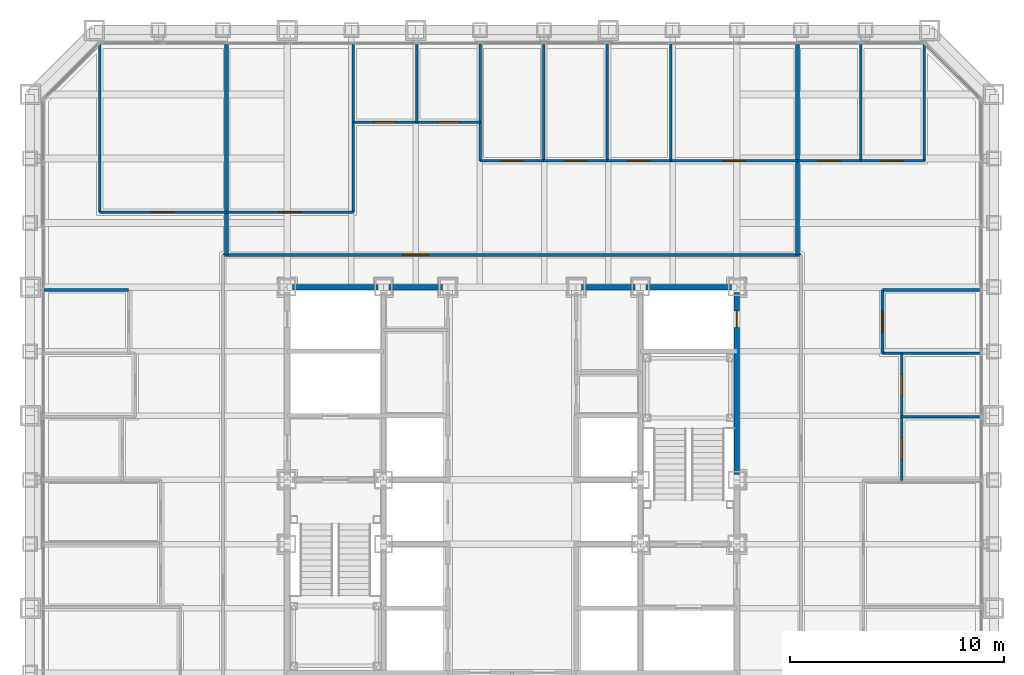
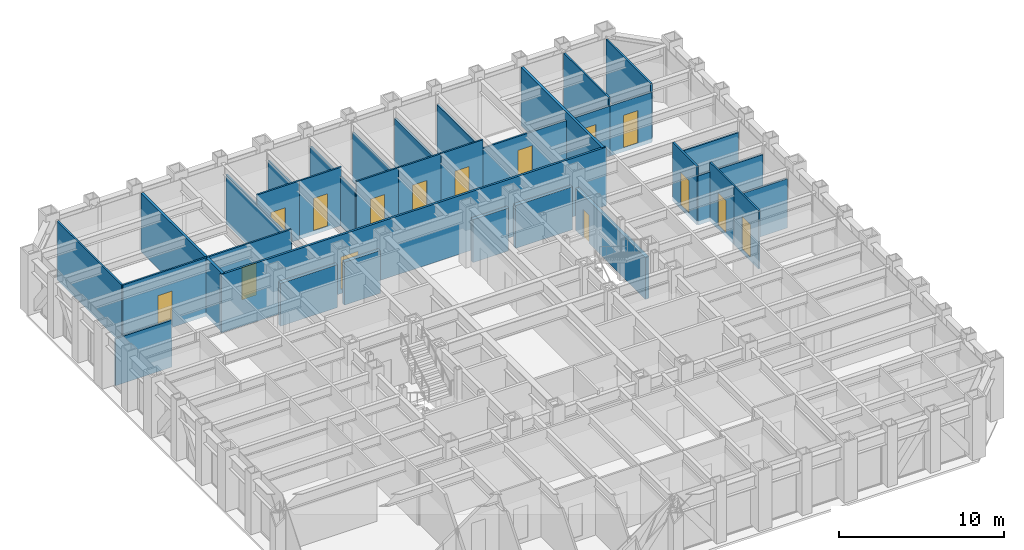
# One storey, part 11 of 16: 34 walls, 15 doors, 15 openings.
"""IFC4 building model written with IfcOpenShell, lengths in metres."""

from ifc_helpers import new_model, si_unit, direction, frame, frame_2d, origin, place, context, subcontext, project, spatial, rectangle, extrude, material, layer, layer_set, type_object, element, fill, save


model = new_model("IFC4")

# Units and contexts
model_context = context("Model", 3, precision=1e-05, world=origin(), true_north=direction((0.0, 1.0)))
body_context = subcontext(model_context, "Body", "Model", "MODEL_VIEW")
ifc_project = project(units=[si_unit("LENGTHUNIT", "METRE"), si_unit("AREAUNIT", "SQUARE_METRE"), si_unit("VOLUMEUNIT", "CUBIC_METRE"), si_unit("PLANEANGLEUNIT", "RADIAN"), si_unit("MASSUNIT", "GRAM", prefix="KILO")], contexts=[model_context])

# Site, building, storey
site_placement = place(None, origin())
site = spatial("IfcSite", under=ifc_project, at=site_placement, CompositionType="ELEMENT")
building_placement = place(site_placement, origin())
building = spatial("IfcBuilding", under=site, at=building_placement, Name="Chuquiago Exchange Tower", CompositionType="ELEMENT")
storey_placement = place(building_placement, frame((0.0, 0.0, 82.800048828125)))
storey = spatial("IfcBuildingStorey", under=building, at=storey_placement, Name="L17", CompositionType="ELEMENT", Elevation=82.800048828125)

# Walls
ifc_material_1 = material(Name="Concrete masonry, fully grouted", Category="masonry")
ifc_layer_1 = layer(ifc_material_1, 0.25)
ifc_layer_set_1 = layer_set([ifc_layer_1], Name="W1 core wall 250")
wall_type_1 = type_object("IfcWallType", Name="W1 core wall 250", PredefinedType="SOLIDWALL", material=ifc_layer_set_1)
wall_1_placement = place(storey_placement, frame((12.25, 33.0, 0.0), z_axis=(0.0, 0.0, 1.0), x_axis=(1.0, 0.0, 0.0)))
element("IfcWall", 1, at=wall_1_placement, inside=storey, type_object=wall_type_1, Name="CW-L17-11-0", PredefinedType="SOLIDWALL", context=body_context, shape_type="SweptSolid", body=[
    extrude(rectangle(XDim=4.0, YDim=0.25, at=frame_2d((2.0, 0.0))), origin(), (0.0, 0.0, 1.0), 3.181396484375),
])
for number, where, z_axis, x_axis, name in (
    (2, (16.75, 33.0, 0.0), (0.0, 0.0, 1.0), (1.0, 0.0, 0.0), "CW-L17-11-1"),
    (3, (25.75, 33.0, 0.0), (0.0, 0.0, 1.0), (1.0, 0.0, 0.0), "CW-L17-12-0"),
):
    element("IfcWall", number, at=place(storey_placement, frame(where, z_axis=z_axis, x_axis=x_axis)), inside=storey, type_object=wall_type_1, Name=name, PredefinedType="SOLIDWALL", context=body_context, shape_type="SweptSolid", body=[
        extrude(rectangle(XDim=2.5, YDim=0.25, at=frame_2d((1.25, 0.0))), origin(), (0.0, 0.0, 1.0), 3.181396484375),
    ])
wall_2_placement = place(storey_placement, frame((28.75, 33.0, 0.0), z_axis=(0.0, 0.0, 1.0), x_axis=(1.0, 0.0, 0.0)))
element("IfcWall", 4, at=wall_2_placement, inside=storey, type_object=wall_type_1, Name="CW-L17-12-1", PredefinedType="SOLIDWALL", context=body_context, shape_type="SweptSolid", body=[
    extrude(rectangle(XDim=4.0, YDim=0.25, at=frame_2d((2.0, 0.0))), origin(), (0.0, 0.0, 1.0), 3.181396484375),
])

# Wall, opening, door
wall_3_placement = place(storey_placement, frame((33.0, 24.25, 0.0), z_axis=(0.0, 0.0, 1.0), x_axis=(0.0, 1.0, 0.0)))
wall_3 = element("IfcWall", 5, at=wall_3_placement, inside=storey, type_object=wall_type_1, Name="CW-L17-25-2", PredefinedType="SOLIDWALL", context=body_context, shape_type="SweptSolid", body=[
    extrude(rectangle(XDim=8.5, YDim=0.25, at=frame_2d((4.25, 0.0))), origin(), (0.0, 0.0, 1.0), 3.11279296875),
])
opening_1_placement = place(wall_3_placement, frame((6.875, 0.0, 0.0)))
opening_1 = element("IfcOpeningElement", 6, at=opening_1_placement, cuts=wall_3, Name="Opening L17-010", PredefinedType="OPENING", context=body_context, shape_type="SweptSolid", body=[
    extrude(rectangle(XDim=0.75, YDim=2.10009765625, at=frame_2d((0.375, 1.050048828125))), frame((0.0, 0.135009765625, 0.0), z_axis=(0.0, -1.0, 0.0), x_axis=(1.0, 0.0, 0.0)), (0.0, 0.0, 1.0), 0.27001953125),
])
ifc_material_2 = material(Name="Steel door, painted", Category="steel")
door_type_1 = type_object("IfcDoorType", Name="D6 riser access door 750x2100", OperationType="SINGLE_SWING_LEFT", PredefinedType="DOOR", material=ifc_material_2)
door_1_placement = place(opening_1_placement, frame((0.75, 0.0, 0.0), z_axis=(0.0, 0.0, 1.0), x_axis=(-1.0, 0.0, 0.0)))
door_1 = element("IfcDoor", 7, at=door_1_placement, inside=storey, type_object=door_type_1, Name="Riser RE2 door", OperationType="SINGLE_SWING_LEFT", OverallHeight=2.10009765625, OverallWidth=0.75, PredefinedType="DOOR", context=body_context, shape_type="SweptSolid", body=[
    extrude(rectangle(XDim=0.75, YDim=2.10009765625, at=frame_2d((0.375, 1.050048828125))), frame((0.0, 0.02490234375, 0.0), z_axis=(0.0, -1.0, 0.0), x_axis=(1.0, 0.0, 0.0)), (0.0, 0.0, 1.0), 0.050048828125),
])
fill(opening_1, door_1)

ifc_material_3 = material(Name="Gypsum board on steel studs, acoustic insulation", Category="steel")
ifc_layer_2 = layer(ifc_material_3, 0.14990234375)
ifc_layer_set_2 = layer_set([ifc_layer_2], Name="W11 corridor wall 150")
wall_type_2 = type_object("IfcWallType", Name="W11 corridor wall 150", PredefinedType="PARTITIONING", material=ifc_layer_set_2)
wall_4_placement = place(storey_placement, frame((9.0, 34.5, -0.300048828125), z_axis=(0.0, 0.0, 1.0), x_axis=(1.0, 0.0, 0.0)))
wall_4 = element("IfcWall", 8, at=wall_4_placement, inside=storey, type_object=wall_type_2, Name="PW-L17-CN", PredefinedType="PARTITIONING", context=body_context, shape_type="SweptSolid", body=[
    extrude(rectangle(XDim=27.0, YDim=0.14990234375, at=frame_2d((13.5, 0.0))), origin(), (0.0, 0.0, 1.0), 4.340087890625),
])
opening_2_placement = place(wall_4_placement, frame((8.39990234375, 0.0, 0.300048828125)))
opening_2 = element("IfcOpeningElement", 9, at=opening_2_placement, cuts=wall_4, Name="Opening L17-057", PredefinedType="OPENING", context=body_context, shape_type="SweptSolid", body=[
    extrude(rectangle(XDim=1.199951171875, YDim=2.39990234375, at=frame_2d((0.60009765625, 1.199951171875))), frame((0.0, 0.0849609375, 0.0), z_axis=(0.0, -1.0, 0.0), x_axis=(1.0, 0.0, 0.0)), (0.0, 0.0, 1.0), 0.169921875),
])
ifc_material_4 = material(Name="Timber door, laminate faced", Category="wood")
door_type_2 = type_object("IfcDoorType", Name="D13 suite entrance door 1200x2400", OperationType="SINGLE_SWING_LEFT", PredefinedType="DOOR", material=ifc_material_4)
door_2_placement = place(opening_2_placement, origin())
door_2 = element("IfcDoor", 10, at=door_2_placement, inside=storey, type_object=door_type_2, Name="North suite entrance door", OperationType="SINGLE_SWING_LEFT", OverallHeight=2.39990234375, OverallWidth=1.199951171875, PredefinedType="DOOR", context=body_context, shape_type="SweptSolid", body=[
    extrude(rectangle(XDim=1.199951171875, YDim=2.39990234375, at=frame_2d((0.60009765625, 1.199951171875))), frame((0.0, 0.02490234375, 0.0), z_axis=(0.0, -1.0, 0.0), x_axis=(1.0, 0.0, 0.0)), (0.0, 0.0, 1.0), 0.050048828125),
])
fill(opening_2, door_2)

# Walls
ifc_material_5 = material(Name="Gypsum board on twin steel studs, acoustic insulation", Category="steel")
ifc_layer_3 = layer(ifc_material_5, 0.175048828125)
ifc_layer_set_3 = layer_set([ifc_layer_3], Name="W12 tenant demising wall 175")
wall_type_3 = type_object("IfcWallType", Name="W12 tenant demising wall 175", PredefinedType="PARTITIONING", material=ifc_layer_set_3)
for number, where, z_axis, x_axis, name in (
    (11, (9.172119140625, 44.342529296875, -0.300048828125), (0.0, 0.0, 1.0), (0.0, -1.0, 0.0), "PW-L17-DN00917"),
    (12, (35.827880859375, 44.342529296875, -0.300048828125), (0.0, 0.0, 1.0), (0.0, -1.0, 0.0), "PW-L17-DN03583"),
):
    element("IfcWall", number, at=place(storey_placement, frame(where, z_axis=z_axis, x_axis=x_axis)), inside=storey, type_object=wall_type_3, Name=name, PredefinedType="PARTITIONING", context=body_context, shape_type="SweptSolid", body=[
        extrude(rectangle(XDim=9.842529296875, YDim=0.175048828125, at=frame_2d((4.92138671875, 0.0))), origin(), (0.0, 0.0, 1.0), 4.340087890625),
    ])
ifc_material_6 = material(Name="Gypsum board on steel studs", Category="steel")
ifc_layer_4 = layer(ifc_material_6, 0.1201171875)
ifc_layer_set_4 = layer_set([ifc_layer_4], Name="W4 partition 120")
wall_type_4 = type_object("IfcWallType", Name="W4 partition 120", PredefinedType="PARTITIONING", material=ifc_layer_set_4)
wall_5_placement = place(storey_placement, frame((44.342529296875, 26.942626953125, -0.300048828125), z_axis=(0.0, 0.0, 1.0), x_axis=(-1.0, 0.0, 0.0)))
element("IfcWall", 13, at=wall_5_placement, inside=storey, type_object=wall_type_4, Name="PW-L17-E02694", PredefinedType="PARTITIONING", context=body_context, shape_type="SweptSolid", body=[
    extrude(rectangle(XDim=3.642578125, YDim=0.1201171875, at=frame_2d((1.8212890625, 0.0))), origin(), (0.0, 0.0, 1.0), 3.646484375),
])
wall_6_placement = place(storey_placement, frame((44.342529296875, 29.904296875, -0.300048828125), z_axis=(0.0, 0.0, 1.0), x_axis=(-1.0, 0.0, 0.0)))
element("IfcWall", 14, at=wall_6_placement, inside=storey, type_object=wall_type_4, Name="PW-L17-E02990", PredefinedType="PARTITIONING", context=body_context, shape_type="SweptSolid", body=[
    extrude(rectangle(XDim=4.54248046875, YDim=0.1201171875, at=frame_2d((2.271240234375, 0.0))), origin(), (0.0, 0.0, 1.0), 3.646484375),
])
wall_7_placement = place(storey_placement, frame((44.342529296875, 32.8662109375, -0.300048828125), z_axis=(0.0, 0.0, 1.0), x_axis=(-1.0, 0.0, 0.0)))
element("IfcWall", 15, at=wall_7_placement, inside=storey, type_object=wall_type_4, Name="PW-L17-E03287", PredefinedType="PARTITIONING", context=body_context, shape_type="SweptSolid", body=[
    extrude(rectangle(XDim=4.54248046875, YDim=0.1201171875, at=frame_2d((2.271240234375, 0.0))), origin(), (0.0, 0.0, 1.0), 3.4814453125),
])

# Wall, opening, door
wall_8_placement = place(storey_placement, frame((40.699951171875, 23.98095703125, -0.300048828125), z_axis=(0.0, 0.0, 1.0), x_axis=(0.0, 1.0, 0.0)))
wall_8 = element("IfcWall", 16, at=wall_8_placement, inside=storey, type_object=wall_type_4, Name="PW-L17-EF02398", PredefinedType="PARTITIONING", context=body_context, shape_type="SweptSolid", body=[
    extrude(rectangle(XDim=2.961669921875, YDim=0.1201171875, at=frame_2d((1.48095703125, 0.0))), origin(), (0.0, 0.0, 1.0), 4.340087890625),
])
opening_3_placement = place(wall_8_placement, frame((0.98095703125, 0.0, 0.300048828125)))
opening_3 = element("IfcOpeningElement", 17, at=opening_3_placement, cuts=wall_8, Name="Opening L17-037", PredefinedType="OPENING", context=body_context, shape_type="SweptSolid", body=[
    extrude(rectangle(XDim=1.0, YDim=2.39990234375, at=frame_2d((0.5, 1.199951171875))), frame((0.0, 0.070068359375, 0.0), z_axis=(0.0, -1.0, 0.0), x_axis=(1.0, 0.0, 0.0)), (0.0, 0.0, 1.0), 0.14013671875),
])
ifc_material_7 = material(Name="Timber frame door, full height glazed panel", Category="wood")
door_type_3 = type_object("IfcDoorType", Name="D14 glazed meeting room door 1000x2400", OperationType="SINGLE_SWING_LEFT", PredefinedType="DOOR", material=ifc_material_7)
door_3_placement = place(opening_3_placement, frame((1.0, 0.0, 0.0), z_axis=(0.0, 0.0, 1.0), x_axis=(-1.0, 0.0, 0.0)))
door_3 = element("IfcDoor", 18, at=door_3_placement, inside=storey, type_object=door_type_3, Name="Focus room door", OperationType="SINGLE_SWING_LEFT", OverallHeight=2.39990234375, OverallWidth=1.0, PredefinedType="DOOR", context=body_context, shape_type="SweptSolid", body=[
    extrude(rectangle(XDim=1.0, YDim=2.39990234375, at=frame_2d((0.5, 1.199951171875))), frame((0.0, 0.02490234375, 0.0), z_axis=(0.0, -1.0, 0.0), x_axis=(1.0, 0.0, 0.0)), (0.0, 0.0, 1.0), 0.050048828125),
])
fill(opening_3, door_3)

wall_9_placement = place(storey_placement, frame((40.699951171875, 26.942626953125, -0.300048828125), z_axis=(0.0, 0.0, 1.0), x_axis=(0.0, 1.0, 0.0)))
wall_9 = element("IfcWall", 19, at=wall_9_placement, inside=storey, type_object=wall_type_4, Name="PW-L17-EF02694", PredefinedType="PARTITIONING", context=body_context, shape_type="SweptSolid", body=[
    extrude(rectangle(XDim=2.961669921875, YDim=0.1201171875, at=frame_2d((1.48095703125, 0.0))), origin(), (0.0, 0.0, 1.0), 4.340087890625),
])
opening_4_placement = place(wall_9_placement, frame((0.98095703125, 0.0, 0.300048828125)))
opening_4 = element("IfcOpeningElement", 20, at=opening_4_placement, cuts=wall_9, Name="Opening L17-038", PredefinedType="OPENING", context=body_context, shape_type="SweptSolid", body=[
    extrude(rectangle(XDim=1.0, YDim=2.39990234375, at=frame_2d((0.5, 1.199951171875))), frame((0.0, 0.070068359375, 0.0), z_axis=(0.0, -1.0, 0.0), x_axis=(1.0, 0.0, 0.0)), (0.0, 0.0, 1.0), 0.14013671875),
])
door_4_placement = place(opening_4_placement, frame((1.0, 0.0, 0.0), z_axis=(0.0, 0.0, 1.0), x_axis=(-1.0, 0.0, 0.0)))
door_4 = element("IfcDoor", 21, at=door_4_placement, inside=storey, type_object=door_type_3, Name="Focus room door", OperationType="SINGLE_SWING_RIGHT", OverallHeight=2.39990234375, OverallWidth=1.0, PredefinedType="DOOR", context=body_context, shape_type="SweptSolid", body=[
    extrude(rectangle(XDim=1.0, YDim=2.39990234375, at=frame_2d((0.5, 1.199951171875))), frame((0.0, 0.02490234375, 0.0), z_axis=(0.0, -1.0, 0.0), x_axis=(1.0, 0.0, 0.0)), (0.0, 0.0, 1.0), 0.050048828125),
])
fill(opening_4, door_4)

wall_10_placement = place(storey_placement, frame((39.800048828125, 29.904296875, -0.300048828125), z_axis=(0.0, 0.0, 1.0), x_axis=(0.0, 1.0, 0.0)))
wall_10 = element("IfcWall", 22, at=wall_10_placement, inside=storey, type_object=wall_type_4, Name="PW-L17-EF02990", PredefinedType="PARTITIONING", context=body_context, shape_type="SweptSolid", body=[
    extrude(rectangle(XDim=2.9619140625, YDim=0.1201171875, at=frame_2d((1.48095703125, 0.0))), origin(), (0.0, 0.0, 1.0), 4.340087890625),
])
opening_5_placement = place(wall_10_placement, frame((0.98095703125, 0.0, 0.300048828125)))
opening_5 = element("IfcOpeningElement", 23, at=opening_5_placement, cuts=wall_10, Name="Opening L17-039", PredefinedType="OPENING", context=body_context, shape_type="SweptSolid", body=[
    extrude(rectangle(XDim=1.0, YDim=2.39990234375, at=frame_2d((0.5, 1.199951171875))), frame((0.0, 0.070068359375, 0.0), z_axis=(0.0, -1.0, 0.0), x_axis=(1.0, 0.0, 0.0)), (0.0, 0.0, 1.0), 0.14013671875),
])
ifc_material_8 = material(Name="Timber door, laminate faced", Category="wood")
door_type_4 = type_object("IfcDoorType", Name="D9 room door 1000x2400", OperationType="SINGLE_SWING_LEFT", PredefinedType="DOOR", material=ifc_material_8)
door_5_placement = place(opening_5_placement, frame((1.0, 0.0, 0.0), z_axis=(0.0, 0.0, 1.0), x_axis=(-1.0, 0.0, 0.0)))
door_5 = element("IfcDoor", 24, at=door_5_placement, inside=storey, type_object=door_type_4, Name="Comms room door", OperationType="SINGLE_SWING_RIGHT", OverallHeight=2.39990234375, OverallWidth=1.0, PredefinedType="DOOR", context=body_context, shape_type="SweptSolid", body=[
    extrude(rectangle(XDim=1.0, YDim=2.39990234375, at=frame_2d((0.5, 1.199951171875))), frame((0.0, 0.02490234375, 0.0), z_axis=(0.0, -1.0, 0.0), x_axis=(1.0, 0.0, 0.0)), (0.0, 0.0, 1.0), 0.050048828125),
])
fill(opening_5, door_5)

# Walls
wall_11_placement = place(storey_placement, frame((3.24853515625, 44.333984375, -0.300048828125), z_axis=(0.0, 0.0, 1.0), x_axis=(0.0, -1.0, 0.0)))
element("IfcWall", 25, at=wall_11_placement, inside=storey, type_object=wall_type_4, Name="PW-L17-N00325", PredefinedType="PARTITIONING", context=body_context, shape_type="SweptSolid", body=[
    extrude(rectangle(XDim=7.833984375, YDim=0.1201171875, at=frame_2d((3.9169921875, 0.0))), origin(), (0.0, 0.0, 1.0), 4.340087890625),
])
wall_12_placement = place(storey_placement, frame((15.095703125, 44.342529296875, -0.300048828125), z_axis=(0.0, 0.0, 1.0), x_axis=(0.0, -1.0, 0.0)))
element("IfcWall", 26, at=wall_12_placement, inside=storey, type_object=wall_type_4, Name="PW-L17-N01510", PredefinedType="PARTITIONING", context=body_context, shape_type="SweptSolid", body=[
    extrude(rectangle(XDim=7.842529296875, YDim=0.1201171875, at=frame_2d((3.92138671875, 0.0))), origin(), (0.0, 0.0, 1.0), 3.646484375),
])
wall_13_placement = place(storey_placement, frame((18.057373046875, 44.342529296875, -0.300048828125), z_axis=(0.0, 0.0, 1.0), x_axis=(0.0, -1.0, 0.0)))
element("IfcWall", 27, at=wall_13_placement, inside=storey, type_object=wall_type_4, Name="PW-L17-N01806", PredefinedType="PARTITIONING", context=body_context, shape_type="SweptSolid", body=[
    extrude(rectangle(XDim=3.642578125, YDim=0.1201171875, at=frame_2d((1.8212890625, 0.0))), origin(), (0.0, 0.0, 1.0), 3.646484375),
])
for number, where, z_axis, x_axis, name in (
    (28, (21.01904296875, 44.342529296875, -0.300048828125), (0.0, 0.0, 1.0), (0.0, -1.0, 0.0), "PW-L17-N02102"),
    (29, (23.98095703125, 44.342529296875, -0.300048828125), (0.0, 0.0, 1.0), (0.0, -1.0, 0.0), "PW-L17-N02398"),
    (30, (26.942626953125, 44.342529296875, -0.300048828125), (0.0, 0.0, 1.0), (0.0, -1.0, 0.0), "PW-L17-N02694"),
    (31, (29.904296875, 44.342529296875, -0.300048828125), (0.0, 0.0, 1.0), (0.0, -1.0, 0.0), "PW-L17-N02990"),
):
    element("IfcWall", number, at=place(storey_placement, frame(where, z_axis=z_axis, x_axis=x_axis)), inside=storey, type_object=wall_type_4, Name=name, PredefinedType="PARTITIONING", context=body_context, shape_type="SweptSolid", body=[
        extrude(rectangle(XDim=5.442626953125, YDim=0.1201171875, at=frame_2d((2.72119140625, 0.0))), origin(), (0.0, 0.0, 1.0), 3.646484375),
    ])
wall_14_placement = place(storey_placement, frame((38.789794921875, 44.342529296875, -0.300048828125), z_axis=(0.0, 0.0, 1.0), x_axis=(0.0, -1.0, 0.0)))
element("IfcWall", 32, at=wall_14_placement, inside=storey, type_object=wall_type_4, Name="PW-L17-N03879", PredefinedType="PARTITIONING", context=body_context, shape_type="SweptSolid", body=[
    extrude(rectangle(XDim=5.442626953125, YDim=0.1201171875, at=frame_2d((2.72119140625, 0.0))), origin(), (0.0, 0.0, 1.0), 4.340087890625),
])
wall_15_placement = place(storey_placement, frame((41.75146484375, 44.333984375, -0.300048828125), z_axis=(0.0, 0.0, 1.0), x_axis=(0.0, -1.0, 0.0)))
element("IfcWall", 33, at=wall_15_placement, inside=storey, type_object=wall_type_4, Name="PW-L17-N04175", PredefinedType="PARTITIONING", context=body_context, shape_type="SweptSolid", body=[
    extrude(rectangle(XDim=5.43408203125, YDim=0.1201171875, at=frame_2d((2.717041015625, 0.0))), origin(), (0.0, 0.0, 1.0), 4.340087890625),
])

# Wall, opening, door
wall_16_placement = place(storey_placement, frame((3.24853515625, 36.5, -0.300048828125), z_axis=(0.0, 0.0, 1.0), x_axis=(1.0, 0.0, 0.0)))
wall_16 = element("IfcWall", 34, at=wall_16_placement, inside=storey, type_object=wall_type_4, Name="PW-L17-NF00325", PredefinedType="PARTITIONING", context=body_context, shape_type="SweptSolid", body=[
    extrude(rectangle(XDim=5.923583984375, YDim=0.1201171875, at=frame_2d((2.9619140625, 0.0))), origin(), (0.0, 0.0, 1.0), 4.340087890625),
])
opening_6_placement = place(wall_16_placement, frame((2.4619140625, 0.0, 0.300048828125)))
opening_6 = element("IfcOpeningElement", 35, at=opening_6_placement, cuts=wall_16, Name="Opening L17-040", PredefinedType="OPENING", context=body_context, shape_type="SweptSolid", body=[
    extrude(rectangle(XDim=1.0, YDim=2.39990234375, at=frame_2d((0.5, 1.199951171875))), frame((0.0, 0.070068359375, 0.0), z_axis=(0.0, -1.0, 0.0), x_axis=(1.0, 0.0, 0.0)), (0.0, 0.0, 1.0), 0.14013671875),
])
door_6_placement = place(opening_6_placement, origin())
door_6 = element("IfcDoor", 36, at=door_6_placement, inside=storey, type_object=door_type_4, Name="Settlement office door", OperationType="SINGLE_SWING_RIGHT", OverallHeight=2.39990234375, OverallWidth=1.0, PredefinedType="DOOR", context=body_context, shape_type="SweptSolid", body=[
    extrude(rectangle(XDim=1.0, YDim=2.39990234375, at=frame_2d((0.5, 1.199951171875))), frame((0.0, 0.02490234375, 0.0), z_axis=(0.0, -1.0, 0.0), x_axis=(1.0, 0.0, 0.0)), (0.0, 0.0, 1.0), 0.050048828125),
])
fill(opening_6, door_6)

wall_17_placement = place(storey_placement, frame((9.172119140625, 36.5, -0.300048828125), z_axis=(0.0, 0.0, 1.0), x_axis=(1.0, 0.0, 0.0)))
wall_17 = element("IfcWall", 37, at=wall_17_placement, inside=storey, type_object=wall_type_4, Name="PW-L17-NF00917", PredefinedType="PARTITIONING", context=body_context, shape_type="SweptSolid", body=[
    extrude(rectangle(XDim=5.923583984375, YDim=0.1201171875, at=frame_2d((2.9619140625, 0.0))), origin(), (0.0, 0.0, 1.0), 4.340087890625),
])
opening_7_placement = place(wall_17_placement, frame((2.461669921875, 0.0, 0.300048828125)))
opening_7 = element("IfcOpeningElement", 38, at=opening_7_placement, cuts=wall_17, Name="Opening L17-041", PredefinedType="OPENING", context=body_context, shape_type="SweptSolid", body=[
    extrude(rectangle(XDim=1.0, YDim=2.39990234375, at=frame_2d((0.5, 1.199951171875))), frame((0.0, 0.070068359375, 0.0), z_axis=(0.0, -1.0, 0.0), x_axis=(1.0, 0.0, 0.0)), (0.0, 0.0, 1.0), 0.14013671875),
])
door_7_placement = place(opening_7_placement, origin())
door_7 = element("IfcDoor", 39, at=door_7_placement, inside=storey, type_object=door_type_4, Name="Settlement office door", OperationType="SINGLE_SWING_LEFT", OverallHeight=2.39990234375, OverallWidth=1.0, PredefinedType="DOOR", context=body_context, shape_type="SweptSolid", body=[
    extrude(rectangle(XDim=1.0, YDim=2.39990234375, at=frame_2d((0.5, 1.199951171875))), frame((0.0, 0.02490234375, 0.0), z_axis=(0.0, -1.0, 0.0), x_axis=(1.0, 0.0, 0.0)), (0.0, 0.0, 1.0), 0.050048828125),
])
fill(opening_7, door_7)

wall_18_placement = place(storey_placement, frame((15.095703125, 40.699951171875, -0.300048828125), z_axis=(0.0, 0.0, 1.0), x_axis=(1.0, 0.0, 0.0)))
wall_18 = element("IfcWall", 40, at=wall_18_placement, inside=storey, type_object=wall_type_4, Name="PW-L17-NF01510", PredefinedType="PARTITIONING", context=body_context, shape_type="SweptSolid", body=[
    extrude(rectangle(XDim=2.961669921875, YDim=0.1201171875, at=frame_2d((1.48095703125, 0.0))), origin(), (0.0, 0.0, 1.0), 4.340087890625),
])
opening_8_placement = place(wall_18_placement, frame((0.98095703125, 0.0, 0.300048828125)))
opening_8 = element("IfcOpeningElement", 41, at=opening_8_placement, cuts=wall_18, Name="Opening L17-042", PredefinedType="OPENING", context=body_context, shape_type="SweptSolid", body=[
    extrude(rectangle(XDim=1.0, YDim=2.39990234375, at=frame_2d((0.5, 1.199951171875))), frame((0.0, 0.070068359375, 0.0), z_axis=(0.0, -1.0, 0.0), x_axis=(1.0, 0.0, 0.0)), (0.0, 0.0, 1.0), 0.14013671875),
])
door_8_placement = place(opening_8_placement, origin())
door_8 = element("IfcDoor", 42, at=door_8_placement, inside=storey, type_object=door_type_3, Name="Focus room door", OperationType="SINGLE_SWING_LEFT", OverallHeight=2.39990234375, OverallWidth=1.0, PredefinedType="DOOR", context=body_context, shape_type="SweptSolid", body=[
    extrude(rectangle(XDim=1.0, YDim=2.39990234375, at=frame_2d((0.5, 1.199951171875))), frame((0.0, 0.02490234375, 0.0), z_axis=(0.0, -1.0, 0.0), x_axis=(1.0, 0.0, 0.0)), (0.0, 0.0, 1.0), 0.050048828125),
])
fill(opening_8, door_8)

wall_19_placement = place(storey_placement, frame((18.057373046875, 40.699951171875, -0.300048828125), z_axis=(0.0, 0.0, 1.0), x_axis=(1.0, 0.0, 0.0)))
wall_19 = element("IfcWall", 43, at=wall_19_placement, inside=storey, type_object=wall_type_4, Name="PW-L17-NF01806", PredefinedType="PARTITIONING", context=body_context, shape_type="SweptSolid", body=[
    extrude(rectangle(XDim=2.961669921875, YDim=0.1201171875, at=frame_2d((1.48095703125, 0.0))), origin(), (0.0, 0.0, 1.0), 4.340087890625),
])
opening_9_placement = place(wall_19_placement, frame((0.98095703125, 0.0, 0.300048828125)))
opening_9 = element("IfcOpeningElement", 44, at=opening_9_placement, cuts=wall_19, Name="Opening L17-043", PredefinedType="OPENING", context=body_context, shape_type="SweptSolid", body=[
    extrude(rectangle(XDim=1.0, YDim=2.39990234375, at=frame_2d((0.5, 1.199951171875))), frame((0.0, 0.070068359375, 0.0), z_axis=(0.0, -1.0, 0.0), x_axis=(1.0, 0.0, 0.0)), (0.0, 0.0, 1.0), 0.14013671875),
])
door_9_placement = place(opening_9_placement, origin())
door_9 = element("IfcDoor", 45, at=door_9_placement, inside=storey, type_object=door_type_3, Name="Focus room door", OperationType="SINGLE_SWING_RIGHT", OverallHeight=2.39990234375, OverallWidth=1.0, PredefinedType="DOOR", context=body_context, shape_type="SweptSolid", body=[
    extrude(rectangle(XDim=1.0, YDim=2.39990234375, at=frame_2d((0.5, 1.199951171875))), frame((0.0, 0.02490234375, 0.0), z_axis=(0.0, -1.0, 0.0), x_axis=(1.0, 0.0, 0.0)), (0.0, 0.0, 1.0), 0.050048828125),
])
fill(opening_9, door_9)

wall_20_placement = place(storey_placement, frame((21.01904296875, 38.89990234375, -0.300048828125), z_axis=(0.0, 0.0, 1.0), x_axis=(1.0, 0.0, 0.0)))
wall_20 = element("IfcWall", 46, at=wall_20_placement, inside=storey, type_object=wall_type_4, Name="PW-L17-NF02102", PredefinedType="PARTITIONING", context=body_context, shape_type="SweptSolid", body=[
    extrude(rectangle(XDim=2.9619140625, YDim=0.1201171875, at=frame_2d((1.48095703125, 0.0))), origin(), (0.0, 0.0, 1.0), 4.340087890625),
])
opening_10_placement = place(wall_20_placement, frame((0.98095703125, 0.0, 0.300048828125)))
opening_10 = element("IfcOpeningElement", 47, at=opening_10_placement, cuts=wall_20, Name="Opening L17-044", PredefinedType="OPENING", context=body_context, shape_type="SweptSolid", body=[
    extrude(rectangle(XDim=1.0, YDim=2.39990234375, at=frame_2d((0.5, 1.199951171875))), frame((0.0, 0.070068359375, 0.0), z_axis=(0.0, -1.0, 0.0), x_axis=(1.0, 0.0, 0.0)), (0.0, 0.0, 1.0), 0.14013671875),
])
door_10_placement = place(opening_10_placement, origin())
door_10 = element("IfcDoor", 48, at=door_10_placement, inside=storey, type_object=door_type_4, Name="Office door", OperationType="SINGLE_SWING_RIGHT", OverallHeight=2.39990234375, OverallWidth=1.0, PredefinedType="DOOR", context=body_context, shape_type="SweptSolid", body=[
    extrude(rectangle(XDim=1.0, YDim=2.39990234375, at=frame_2d((0.5, 1.199951171875))), frame((0.0, 0.02490234375, 0.0), z_axis=(0.0, -1.0, 0.0), x_axis=(1.0, 0.0, 0.0)), (0.0, 0.0, 1.0), 0.050048828125),
])
fill(opening_10, door_10)

wall_21_placement = place(storey_placement, frame((23.98095703125, 38.89990234375, -0.300048828125), z_axis=(0.0, 0.0, 1.0), x_axis=(1.0, 0.0, 0.0)))
wall_21 = element("IfcWall", 49, at=wall_21_placement, inside=storey, type_object=wall_type_4, Name="PW-L17-NF02398", PredefinedType="PARTITIONING", context=body_context, shape_type="SweptSolid", body=[
    extrude(rectangle(XDim=2.961669921875, YDim=0.1201171875, at=frame_2d((1.48095703125, 0.0))), origin(), (0.0, 0.0, 1.0), 4.340087890625),
])
opening_11_placement = place(wall_21_placement, frame((0.98095703125, 0.0, 0.300048828125)))
opening_11 = element("IfcOpeningElement", 50, at=opening_11_placement, cuts=wall_21, Name="Opening L17-045", PredefinedType="OPENING", context=body_context, shape_type="SweptSolid", body=[
    extrude(rectangle(XDim=1.0, YDim=2.39990234375, at=frame_2d((0.5, 1.199951171875))), frame((0.0, 0.070068359375, 0.0), z_axis=(0.0, -1.0, 0.0), x_axis=(1.0, 0.0, 0.0)), (0.0, 0.0, 1.0), 0.14013671875),
])
door_11_placement = place(opening_11_placement, origin())
door_11 = element("IfcDoor", 51, at=door_11_placement, inside=storey, type_object=door_type_4, Name="Office door", OperationType="SINGLE_SWING_RIGHT", OverallHeight=2.39990234375, OverallWidth=1.0, PredefinedType="DOOR", context=body_context, shape_type="SweptSolid", body=[
    extrude(rectangle(XDim=1.0, YDim=2.39990234375, at=frame_2d((0.5, 1.199951171875))), frame((0.0, 0.02490234375, 0.0), z_axis=(0.0, -1.0, 0.0), x_axis=(1.0, 0.0, 0.0)), (0.0, 0.0, 1.0), 0.050048828125),
])
fill(opening_11, door_11)

wall_22_placement = place(storey_placement, frame((26.942626953125, 38.89990234375, -0.300048828125), z_axis=(0.0, 0.0, 1.0), x_axis=(1.0, 0.0, 0.0)))
wall_22 = element("IfcWall", 52, at=wall_22_placement, inside=storey, type_object=wall_type_4, Name="PW-L17-NF02694", PredefinedType="PARTITIONING", context=body_context, shape_type="SweptSolid", body=[
    extrude(rectangle(XDim=2.961669921875, YDim=0.1201171875, at=frame_2d((1.48095703125, 0.0))), origin(), (0.0, 0.0, 1.0), 4.340087890625),
])
opening_12_placement = place(wall_22_placement, frame((0.98095703125, 0.0, 0.300048828125)))
opening_12 = element("IfcOpeningElement", 53, at=opening_12_placement, cuts=wall_22, Name="Opening L17-046", PredefinedType="OPENING", context=body_context, shape_type="SweptSolid", body=[
    extrude(rectangle(XDim=1.0, YDim=2.39990234375, at=frame_2d((0.5, 1.199951171875))), frame((0.0, 0.070068359375, 0.0), z_axis=(0.0, -1.0, 0.0), x_axis=(1.0, 0.0, 0.0)), (0.0, 0.0, 1.0), 0.14013671875),
])
door_12_placement = place(opening_12_placement, origin())
door_12 = element("IfcDoor", 54, at=door_12_placement, inside=storey, type_object=door_type_4, Name="Office door", OperationType="SINGLE_SWING_LEFT", OverallHeight=2.39990234375, OverallWidth=1.0, PredefinedType="DOOR", context=body_context, shape_type="SweptSolid", body=[
    extrude(rectangle(XDim=1.0, YDim=2.39990234375, at=frame_2d((0.5, 1.199951171875))), frame((0.0, 0.02490234375, 0.0), z_axis=(0.0, -1.0, 0.0), x_axis=(1.0, 0.0, 0.0)), (0.0, 0.0, 1.0), 0.050048828125),
])
fill(opening_12, door_12)

wall_23_placement = place(storey_placement, frame((29.904296875, 38.89990234375, -0.300048828125), z_axis=(0.0, 0.0, 1.0), x_axis=(1.0, 0.0, 0.0)))
wall_23 = element("IfcWall", 55, at=wall_23_placement, inside=storey, type_object=wall_type_4, Name="PW-L17-NF02990", PredefinedType="PARTITIONING", context=body_context, shape_type="SweptSolid", body=[
    extrude(rectangle(XDim=5.923583984375, YDim=0.1201171875, at=frame_2d((2.9619140625, 0.0))), origin(), (0.0, 0.0, 1.0), 3.722900390625),
])
opening_13_placement = place(wall_23_placement, frame((2.4619140625, 0.0, 0.300048828125)))
opening_13 = element("IfcOpeningElement", 56, at=opening_13_placement, cuts=wall_23, Name="Opening L17-047", PredefinedType="OPENING", context=body_context, shape_type="SweptSolid", body=[
    extrude(rectangle(XDim=1.0, YDim=2.39990234375, at=frame_2d((0.5, 1.199951171875))), frame((0.0, 0.070068359375, 0.0), z_axis=(0.0, -1.0, 0.0), x_axis=(1.0, 0.0, 0.0)), (0.0, 0.0, 1.0), 0.14013671875),
])
door_13_placement = place(opening_13_placement, origin())
door_13 = element("IfcDoor", 57, at=door_13_placement, inside=storey, type_object=door_type_3, Name="Meeting room door", OperationType="SINGLE_SWING_RIGHT", OverallHeight=2.39990234375, OverallWidth=1.0, PredefinedType="DOOR", context=body_context, shape_type="SweptSolid", body=[
    extrude(rectangle(XDim=1.0, YDim=2.39990234375, at=frame_2d((0.5, 1.199951171875))), frame((0.0, 0.02490234375, 0.0), z_axis=(0.0, -1.0, 0.0), x_axis=(1.0, 0.0, 0.0)), (0.0, 0.0, 1.0), 0.050048828125),
])
fill(opening_13, door_13)

wall_24_placement = place(storey_placement, frame((35.827880859375, 38.89990234375, -0.300048828125), z_axis=(0.0, 0.0, 1.0), x_axis=(1.0, 0.0, 0.0)))
wall_24 = element("IfcWall", 58, at=wall_24_placement, inside=storey, type_object=wall_type_4, Name="PW-L17-NF03583", PredefinedType="PARTITIONING", context=body_context, shape_type="SweptSolid", body=[
    extrude(rectangle(XDim=2.9619140625, YDim=0.1201171875, at=frame_2d((1.48095703125, 0.0))), origin(), (0.0, 0.0, 1.0), 3.722900390625),
])
opening_14_placement = place(wall_24_placement, frame((0.98095703125, 0.0, 0.300048828125)))
opening_14 = element("IfcOpeningElement", 59, at=opening_14_placement, cuts=wall_24, Name="Opening L17-048", PredefinedType="OPENING", context=body_context, shape_type="SweptSolid", body=[
    extrude(rectangle(XDim=1.0, YDim=2.39990234375, at=frame_2d((0.5, 1.199951171875))), frame((0.0, 0.070068359375, 0.0), z_axis=(0.0, -1.0, 0.0), x_axis=(1.0, 0.0, 0.0)), (0.0, 0.0, 1.0), 0.14013671875),
])
door_14_placement = place(opening_14_placement, origin())
door_14 = element("IfcDoor", 60, at=door_14_placement, inside=storey, type_object=door_type_4, Name="Office door", OperationType="SINGLE_SWING_LEFT", OverallHeight=2.39990234375, OverallWidth=1.0, PredefinedType="DOOR", context=body_context, shape_type="SweptSolid", body=[
    extrude(rectangle(XDim=1.0, YDim=2.39990234375, at=frame_2d((0.5, 1.199951171875))), frame((0.0, 0.02490234375, 0.0), z_axis=(0.0, -1.0, 0.0), x_axis=(1.0, 0.0, 0.0)), (0.0, 0.0, 1.0), 0.050048828125),
])
fill(opening_14, door_14)

wall_25_placement = place(storey_placement, frame((38.789794921875, 38.89990234375, -0.300048828125), z_axis=(0.0, 0.0, 1.0), x_axis=(1.0, 0.0, 0.0)))
wall_25 = element("IfcWall", 61, at=wall_25_placement, inside=storey, type_object=wall_type_4, Name="PW-L17-NF03879", PredefinedType="PARTITIONING", context=body_context, shape_type="SweptSolid", body=[
    extrude(rectangle(XDim=2.961669921875, YDim=0.1201171875, at=frame_2d((1.48095703125, 0.0))), origin(), (0.0, 0.0, 1.0), 3.722900390625),
])
opening_15_placement = place(wall_25_placement, frame((0.98095703125, 0.0, 0.300048828125)))
opening_15 = element("IfcOpeningElement", 62, at=opening_15_placement, cuts=wall_25, Name="Opening L17-049", PredefinedType="OPENING", context=body_context, shape_type="SweptSolid", body=[
    extrude(rectangle(XDim=1.0, YDim=2.39990234375, at=frame_2d((0.5, 1.199951171875))), frame((0.0, 0.070068359375, 0.0), z_axis=(0.0, -1.0, 0.0), x_axis=(1.0, 0.0, 0.0)), (0.0, 0.0, 1.0), 0.14013671875),
])
door_15_placement = place(opening_15_placement, origin())
door_15 = element("IfcDoor", 63, at=door_15_placement, inside=storey, type_object=door_type_4, Name="Office door", OperationType="SINGLE_SWING_RIGHT", OverallHeight=2.39990234375, OverallWidth=1.0, PredefinedType="DOOR", context=body_context, shape_type="SweptSolid", body=[
    extrude(rectangle(XDim=1.0, YDim=2.39990234375, at=frame_2d((0.5, 1.199951171875))), frame((0.0, 0.02490234375, 0.0), z_axis=(0.0, -1.0, 0.0), x_axis=(1.0, 0.0, 0.0)), (0.0, 0.0, 1.0), 0.050048828125),
])
fill(opening_15, door_15)

# Wall
wall_26_placement = place(storey_placement, frame((0.657470703125, 32.8662109375, -0.300048828125), z_axis=(0.0, 0.0, 1.0), x_axis=(1.0, 0.0, 0.0)))
element("IfcWall", 64, at=wall_26_placement, inside=storey, type_object=wall_type_4, Name="PW-L17-W03287", PredefinedType="PARTITIONING", context=body_context, shape_type="SweptSolid", body=[
    extrude(rectangle(XDim=3.942626953125, YDim=0.1201171875, at=frame_2d((1.97119140625, 0.0))), origin(), (0.0, 0.0, 1.0), 3.4814453125),
])

save(model, "model.ifc")
